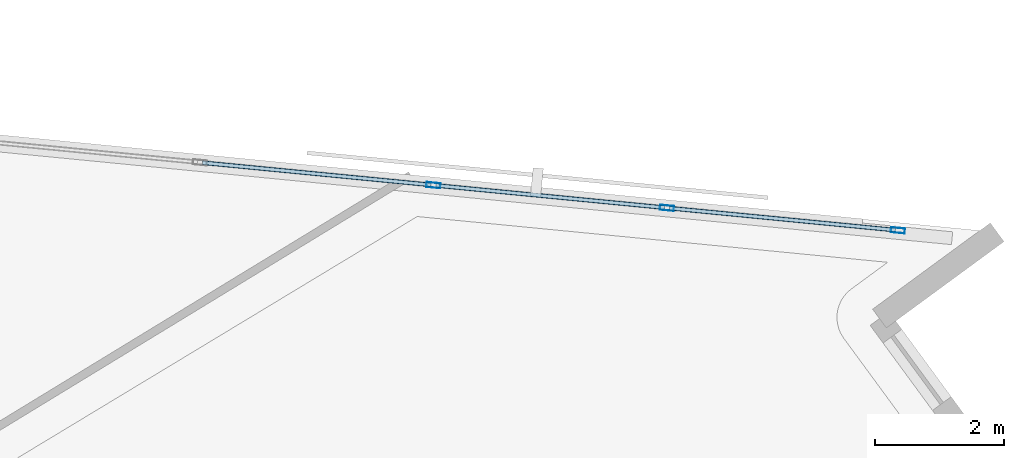
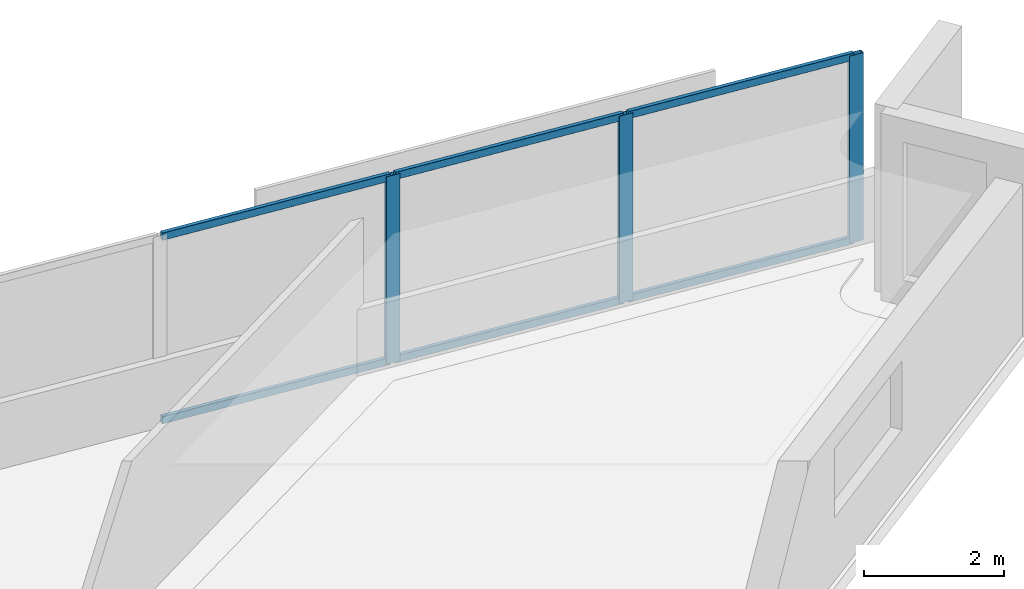
# One storey, part 6 of 13: 9 members, 1 element without a shape of its own.
"""IFC4 building model written with IfcOpenShell, lengths in metres."""

from ifc_helpers import new_model, si_unit, direction, frame, origin, origin_2d, place, context, subcontext, project, spatial, hollow_rectangle, extrude, material, material_profile, profile_set, type_object, element, aggregate, save


model = new_model("IFC4")

# Units and contexts
model_context = context("Model", 3, precision=1e-05, world=origin(), true_north=direction((0.0, 1.0)))
body_context = subcontext(model_context, "Body", "Model", "MODEL_VIEW")
ifc_project = project(units=[si_unit("LENGTHUNIT", "METRE"), si_unit("AREAUNIT", "SQUARE_METRE"), si_unit("VOLUMEUNIT", "CUBIC_METRE"), si_unit("PLANEANGLEUNIT", "RADIAN"), si_unit("MASSUNIT", "GRAM", prefix="KILO")], contexts=[model_context])

# Site, building, storey
site_placement = place(None, origin())
site = spatial("IfcSite", under=ifc_project, at=site_placement, CompositionType="ELEMENT")
building_placement = place(site_placement, origin())
building = spatial("IfcBuilding", under=site, at=building_placement, Name="Narakoshi Arena Tower", CompositionType="ELEMENT")
storey_placement = place(building_placement, frame((0.0, 0.0, 232.580078125)))
storey = spatial("IfcBuildingStorey", under=building, at=storey_placement, Name="L63", CompositionType="ELEMENT", Elevation=232.580078125)

# Curtain wall, members
ifc_material = material(Name="Anodised bronze aluminium 6063-T6", Category="aluminium")
curtain_wall_type = type_object("IfcCurtainWallType", Name="CW-HYP-HIGH", PredefinedType="NOTDEFINED", material=ifc_material)
curtain_wall_placement = place(storey_placement, origin())
curtain_wall = element("IfcCurtainWall", 1, at=curtain_wall_placement, inside=storey, type_object=curtain_wall_type, Name="L63 Folded Hypotenuse Curtain Wall 1-1", PredefinedType="NOTDEFINED")
ifc_material_profile_1 = material_profile(ifc_material, hollow_rectangle(XDim=0.080078125, YDim=0.219970703125, WallThickness=0.0048828125, OuterFilletRadius=0.006103515625, at=origin_2d()), Name="MUL220x80x5")
ifc_profile_set_1 = profile_set([ifc_material_profile_1], Name="Anodised bronze aluminium 6063-T6")
member_type_1 = type_object("IfcMemberType", Name="MEM-MUL-220", PredefinedType="MULLION", material=ifc_profile_set_1)
member_1_placement = place(storey_placement, frame((112.25048828125, 60.418701171875, 0.0), z_axis=(0.0, 0.0, 1.0), x_axis=(-0.096851320996, -0.995298860454, 0.0)))
member_1 = element("IfcMember", 2, at=member_1_placement, type_object=member_type_1, Name="CW-03 mullion 1", PredefinedType="MULLION", context=body_context, shape_type="SweptSolid", body=[
    extrude(hollow_rectangle(XDim=0.080078125, YDim=0.219970703125, WallThickness=0.0048828125, OuterFilletRadius=0.006103515625, at=origin_2d()), origin(), (0.0, 0.0, 1.0), 3.260009765625),
])
member_2_placement = place(storey_placement, frame((108.65869140625, 60.768310546875, 0.0), z_axis=(0.0, 0.0, 1.0), x_axis=(-0.096851320996, -0.995298860454, 0.0)))
member_2 = element("IfcMember", 3, at=member_2_placement, type_object=member_type_1, Name="CW-03 mullion 2", PredefinedType="MULLION", context=body_context, shape_type="SweptSolid", body=[
    extrude(hollow_rectangle(XDim=0.080078125, YDim=0.219970703125, WallThickness=0.0048828125, OuterFilletRadius=0.006103515625, at=origin_2d()), origin(), (0.0, 0.0, 1.0), 3.260009765625),
])
member_3_placement = place(storey_placement, frame((105.027099609375, 61.12158203125, 0.0), z_axis=(0.0, 0.0, 1.0), x_axis=(-0.096851320996, -0.995298860454, 0.0)))
member_3 = element("IfcMember", 4, at=member_3_placement, type_object=member_type_1, Name="CW-03 mullion 3", PredefinedType="MULLION", context=body_context, shape_type="SweptSolid", body=[
    extrude(hollow_rectangle(XDim=0.080078125, YDim=0.219970703125, WallThickness=0.0048828125, OuterFilletRadius=0.006103515625, at=origin_2d()), origin(), (0.0, 0.0, 1.0), 3.260009765625),
])
ifc_material_profile_2 = material_profile(ifc_material, hollow_rectangle(XDim=0.06494140625, YDim=0.1298828125, WallThickness=0.00390625, OuterFilletRadius=0.0048828125, at=origin_2d()), Name="TRN130x65x4")
ifc_profile_set_2 = profile_set([ifc_material_profile_2], Name="Anodised bronze aluminium 6063-T6")
member_type_2 = type_object("IfcMemberType", Name="MEM-TRN-130", PredefinedType="USERDEFINED", material=ifc_profile_set_2)
member_4_placement = place(storey_placement, frame((112.210693359375, 60.422607421875, 0.032470703125), z_axis=(-0.995298087829, 0.096859260598, 0.0), x_axis=(-0.096859260598, -0.995298087829, 0.0)))
member_4 = element("IfcMember", 5, at=member_4_placement, type_object=member_type_2, Name="CW-03 transom 1.1", ObjectType="TRANSOM", PredefinedType="USERDEFINED", context=body_context, shape_type="SweptSolid", body=[
    extrude(hollow_rectangle(XDim=0.06494140625, YDim=0.1298828125, WallThickness=0.00390625, OuterFilletRadius=0.0048828125, at=origin_2d()), origin(), (0.0, 0.0, 1.0), 3.52880859375),
])
member_5_placement = place(storey_placement, frame((112.210693359375, 60.422607421875, 3.2275390625), z_axis=(-0.995298087829, 0.096859260598, 0.0), x_axis=(-0.096859260598, -0.995298087829, 0.0)))
member_5 = element("IfcMember", 6, at=member_5_placement, type_object=member_type_2, Name="CW-03 transom 1.2", ObjectType="TRANSOM", PredefinedType="USERDEFINED", context=body_context, shape_type="SweptSolid", body=[
    extrude(hollow_rectangle(XDim=0.06494140625, YDim=0.1298828125, WallThickness=0.00390625, OuterFilletRadius=0.0048828125, at=origin_2d()), origin(), (0.0, 0.0, 1.0), 3.52880859375),
])
member_6_placement = place(storey_placement, frame((108.618896484375, 60.772216796875, 0.032470703125), z_axis=(-0.995303775278, 0.096800800194, 0.0), x_axis=(-0.096800800194, -0.995303775278, 0.0)))
member_6 = element("IfcMember", 7, at=member_6_placement, type_object=member_type_2, Name="CW-03 transom 2.1", ObjectType="TRANSOM", PredefinedType="USERDEFINED", context=body_context, shape_type="SweptSolid", body=[
    extrude(hollow_rectangle(XDim=0.06494140625, YDim=0.1298828125, WallThickness=0.00390625, OuterFilletRadius=0.0048828125, at=origin_2d()), origin(), (0.0, 0.0, 1.0), 3.56884765625),
])
member_7_placement = place(storey_placement, frame((108.618896484375, 60.772216796875, 3.2275390625), z_axis=(-0.995303775278, 0.096800800194, 0.0), x_axis=(-0.096800800194, -0.995303775278, 0.0)))
member_7 = element("IfcMember", 8, at=member_7_placement, type_object=member_type_2, Name="CW-03 transom 2.2", ObjectType="TRANSOM", PredefinedType="USERDEFINED", context=body_context, shape_type="SweptSolid", body=[
    extrude(hollow_rectangle(XDim=0.06494140625, YDim=0.1298828125, WallThickness=0.00390625, OuterFilletRadius=0.0048828125, at=origin_2d()), origin(), (0.0, 0.0, 1.0), 3.56884765625),
])
member_8_placement = place(storey_placement, frame((104.9873046875, 61.12548828125, 0.032470703125), z_axis=(-0.995297181926, 0.096868568947, 0.0), x_axis=(-0.096868568947, -0.995297181926, 0.0)))
member_8 = element("IfcMember", 9, at=member_8_placement, type_object=member_type_2, Name="CW-03 transom 3.1", ObjectType="TRANSOM", PredefinedType="USERDEFINED", context=body_context, shape_type="SweptSolid", body=[
    extrude(hollow_rectangle(XDim=0.06494140625, YDim=0.1298828125, WallThickness=0.00390625, OuterFilletRadius=0.0048828125, at=origin_2d()), origin(), (0.0, 0.0, 1.0), 3.56884765625),
])
member_9_placement = place(storey_placement, frame((104.9873046875, 61.12548828125, 3.2275390625), z_axis=(-0.995297181926, 0.096868568947, 0.0), x_axis=(-0.096868568947, -0.995297181926, 0.0)))
member_9 = element("IfcMember", 10, at=member_9_placement, type_object=member_type_2, Name="CW-03 transom 3.2", ObjectType="TRANSOM", PredefinedType="USERDEFINED", context=body_context, shape_type="SweptSolid", body=[
    extrude(hollow_rectangle(XDim=0.06494140625, YDim=0.1298828125, WallThickness=0.00390625, OuterFilletRadius=0.0048828125, at=origin_2d()), origin(), (0.0, 0.0, 1.0), 3.56884765625),
])
aggregate(curtain_wall, [member_1, member_2, member_3, member_4, member_5, member_6, member_7, member_8, member_9])

save(model, "model.ifc")
